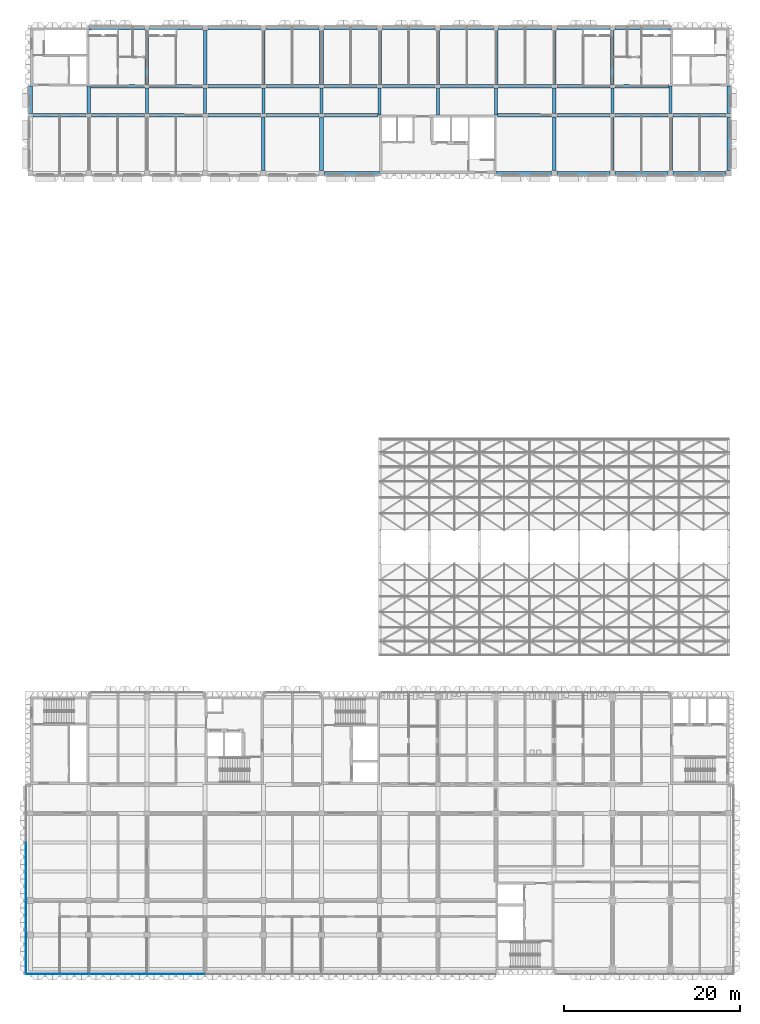
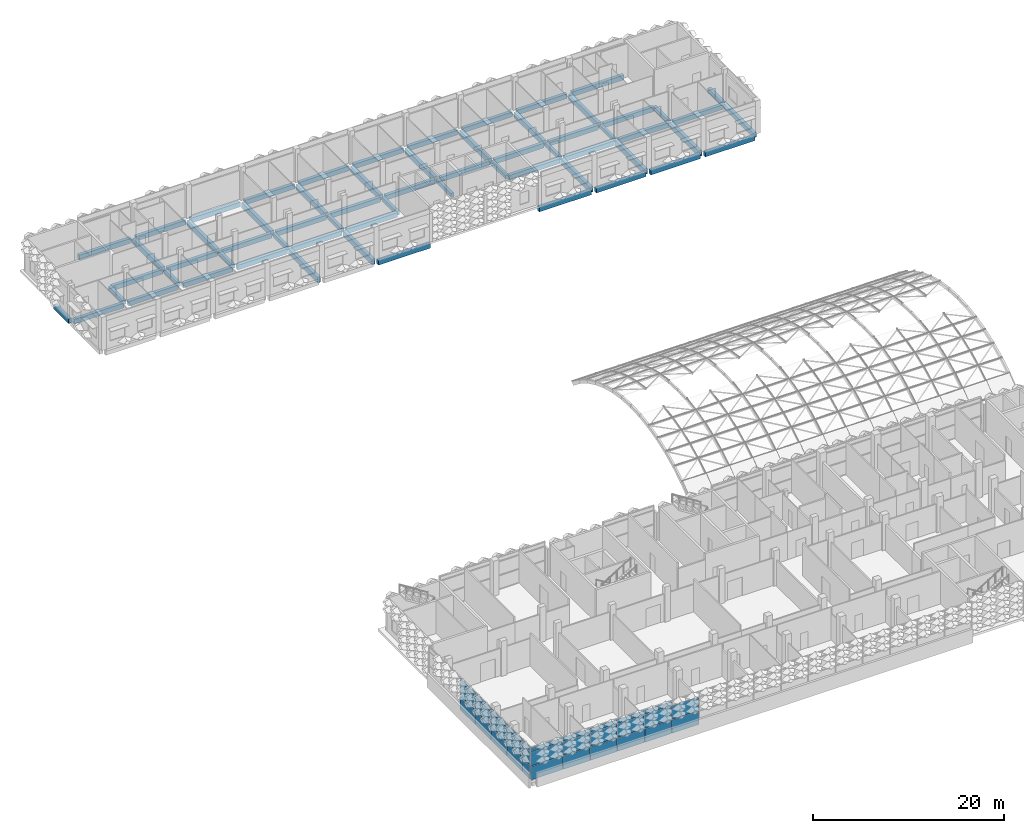
# One storey, part 18 of 85: 63 beams, 32 plates, 2 elements without a shape of their own.
"""IFC4 building model written with IfcOpenShell, lengths in metres."""

from ifc_helpers import new_model, si_unit, direction, frame, origin, origin_2d, place, context, subcontext, project, spatial, rectangle, extrude, material, layer, layer_set, material_profile, profile_set, type_object, element, aggregate, save


model = new_model("IFC4")

# Units and contexts
model_context = context("Model", 3, precision=1e-05, world=origin(), true_north=direction((0.0, 1.0)))
body_context = subcontext(model_context, "Body", "Model", "MODEL_VIEW")
ifc_project = project(units=[si_unit("LENGTHUNIT", "METRE"), si_unit("AREAUNIT", "SQUARE_METRE"), si_unit("VOLUMEUNIT", "CUBIC_METRE"), si_unit("PLANEANGLEUNIT", "RADIAN"), si_unit("MASSUNIT", "GRAM", prefix="KILO")], contexts=[model_context])

# Site, building, storey
site_placement = place(None, origin())
site = spatial("IfcSite", under=ifc_project, at=site_placement, CompositionType="ELEMENT")
building_placement = place(site_placement, origin())
building = spatial("IfcBuilding", under=site, at=building_placement, Name="Lantern Court Research Institute", CompositionType="ELEMENT")
storey_placement = place(building_placement, frame((0.0, 0.0, 18.89990234375)))
storey = spatial("IfcBuildingStorey", under=building, at=storey_placement, Name="L04", CompositionType="ELEMENT", Elevation=18.89990234375)

# Beams
ifc_material_1 = material(Name="Concrete C40/50", Category="concrete")
ifc_material_profile_1 = material_profile(ifc_material_1, rectangle(XDim=0.39990234375, YDim=0.60009765625, at=origin_2d()), Name="RC beam 400 x 600")
ifc_profile_set_1 = profile_set([ifc_material_profile_1], Name="Concrete C40/50")
beam_type_1 = type_object("IfcBeamType", Name="RC beam 400 x 600", PredefinedType="BEAM", material=ifc_profile_set_1)
for number, where, z_axis, x_axis, name in (
    (1, (0.300048828125, 89.10009765625, -0.5498046875), (1.0, 0.0, 0.0), (0.0, 1.0, 0.0), "Beam L04 grid K/1-2"),
    (2, (6.89990234375, 89.10009765625, -0.5498046875), (1.0, 0.0, 0.0), (0.0, 1.0, 0.0), "Beam L04 grid K/2-3"),
    (3, (13.5, 89.10009765625, -0.5498046875), (1.0, 0.0, 0.0), (0.0, 1.0, 0.0), "Beam L04 grid K/3-4"),
    (4, (20.10009765625, 89.10009765625, -0.5498046875), (1.0, 0.0, 0.0), (0.0, 1.0, 0.0), "Beam L04 grid K/4-5"),
    (5, (26.699951171875, 89.10009765625, -0.5498046875), (1.0, 0.0, 0.0), (0.0, 1.0, 0.0), "Beam L04 grid K/5-6"),
):
    element("IfcBeam", number, at=place(storey_placement, frame(where, z_axis=z_axis, x_axis=x_axis)), inside=storey, type_object=beam_type_1, Name=name, PredefinedType="BEAM", context=body_context, shape_type="SweptSolid", body=[
        extrude(rectangle(XDim=0.39990234375, YDim=0.60009765625, at=origin_2d()), origin(), (0.0, 0.0, 1.0), 6.0),
    ])
for number, where, z_axis, x_axis, name in (
    (6, (33.300048828125, 89.10009765625, -0.5498046875), (1.0, 0.0, 0.0), (0.0, 1.0, 0.0), "Beam L04 grid K/6-7"),
    (7, (52.97509765625, 89.10009765625, -0.5498046875), (1.0, 0.0, 0.0), (0.0, 1.0, 0.0), "Beam L04 grid K/9-10"),
):
    element("IfcBeam", number, at=place(storey_placement, frame(where, z_axis=z_axis, x_axis=x_axis)), inside=storey, type_object=beam_type_1, Name=name, PredefinedType="BEAM", context=body_context, shape_type="SweptSolid", body=[
        extrude(rectangle(XDim=0.39990234375, YDim=0.60009765625, at=origin_2d()), origin(), (0.0, 0.0, 1.0), 6.125),
    ])
for number, where, z_axis, x_axis, name in (
    (8, (59.699951171875, 89.10009765625, -0.5498046875), (1.0, 0.0, 0.0), (0.0, 1.0, 0.0), "Beam L04 grid K/10-11"),
    (9, (66.300048828125, 89.10009765625, -0.5498046875), (1.0, 0.0, 0.0), (0.0, 1.0, 0.0), "Beam L04 grid K/11-12"),
    (10, (72.89990234375, 89.10009765625, -0.5498046875), (1.0, 0.0, 0.0), (0.0, 1.0, 0.0), "Beam L04 grid K/12-13"),
):
    element("IfcBeam", number, at=place(storey_placement, frame(where, z_axis=z_axis, x_axis=x_axis)), inside=storey, type_object=beam_type_1, Name=name, PredefinedType="BEAM", context=body_context, shape_type="SweptSolid", body=[
        extrude(rectangle(XDim=0.39990234375, YDim=0.60009765625, at=origin_2d()), origin(), (0.0, 0.0, 1.0), 6.0),
    ])
beam_1_placement = place(storey_placement, frame((6.77490234375, 92.39990234375, -0.5498046875), z_axis=(1.0, 0.0, 0.0), x_axis=(0.0, 1.0, 0.0)))
element("IfcBeam", 11, at=beam_1_placement, inside=storey, type_object=beam_type_1, Name="Beam L04 grid L/2-3", PredefinedType="BEAM", context=body_context, shape_type="SweptSolid", body=[
    extrude(rectangle(XDim=0.39990234375, YDim=0.60009765625, at=origin_2d()), origin(), (0.0, 0.0, 1.0), 6.125),
])
for number, where, z_axis, x_axis, name in (
    (12, (13.5, 92.39990234375, -0.5498046875), (1.0, 0.0, 0.0), (0.0, 1.0, 0.0), "Beam L04 grid L/3-4"),
    (13, (20.10009765625, 92.39990234375, -0.5498046875), (1.0, 0.0, 0.0), (0.0, 1.0, 0.0), "Beam L04 grid L/4-5"),
    (14, (26.699951171875, 92.39990234375, -0.5498046875), (1.0, 0.0, 0.0), (0.0, 1.0, 0.0), "Beam L04 grid L/5-6"),
    (15, (33.300048828125, 92.39990234375, -0.5498046875), (1.0, 0.0, 0.0), (0.0, 1.0, 0.0), "Beam L04 grid L/6-7"),
    (16, (39.89990234375, 92.39990234375, -0.5498046875), (1.0, 0.0, 0.0), (0.0, 1.0, 0.0), "Beam L04 grid L/7-8"),
    (17, (46.5, 92.39990234375, -0.5498046875), (1.0, 0.0, 0.0), (0.0, 1.0, 0.0), "Beam L04 grid L/8-9"),
    (18, (53.10009765625, 92.39990234375, -0.5498046875), (1.0, 0.0, 0.0), (0.0, 1.0, 0.0), "Beam L04 grid L/9-10"),
    (19, (59.699951171875, 92.39990234375, -0.5498046875), (1.0, 0.0, 0.0), (0.0, 1.0, 0.0), "Beam L04 grid L/10-11"),
):
    element("IfcBeam", number, at=place(storey_placement, frame(where, z_axis=z_axis, x_axis=x_axis)), inside=storey, type_object=beam_type_1, Name=name, PredefinedType="BEAM", context=body_context, shape_type="SweptSolid", body=[
        extrude(rectangle(XDim=0.39990234375, YDim=0.60009765625, at=origin_2d()), origin(), (0.0, 0.0, 1.0), 6.0),
    ])
beam_2_placement = place(storey_placement, frame((66.300048828125, 92.39990234375, -0.5498046875), z_axis=(1.0, 0.0, 0.0), x_axis=(0.0, 1.0, 0.0)))
element("IfcBeam", 20, at=beam_2_placement, inside=storey, type_object=beam_type_1, Name="Beam L04 grid L/11-12", PredefinedType="BEAM", context=body_context, shape_type="SweptSolid", body=[
    extrude(rectangle(XDim=0.39990234375, YDim=0.60009765625, at=origin_2d()), origin(), (0.0, 0.0, 1.0), 6.125),
])
ifc_material_2 = material(Name="Concrete C40/50", Category="concrete")
ifc_material_profile_2 = material_profile(ifc_material_2, rectangle(XDim=0.39990234375, YDim=0.699951171875, at=origin_2d()), Name="RC beam 400 x 700")
ifc_profile_set_2 = profile_set([ifc_material_profile_2], Name="Concrete C40/50")
beam_type_2 = type_object("IfcBeamType", Name="RC beam 400 x 700", PredefinedType="BEAM", material=ifc_profile_set_2)
for number, where, z_axis, x_axis, name in (
    (21, (13.199951171875, 92.60009765625, -0.599853515625), (0.0, 1.0, 0.0), (-1.0, 0.0, 0.0), "Beam L04 grid 3/L-M"),
    (22, (19.800048828125, 92.60009765625, -0.599853515625), (0.0, 1.0, 0.0), (-1.0, 0.0, 0.0), "Beam L04 grid 4/L-M"),
    (23, (26.39990234375, 82.800048828125, -0.599853515625), (0.0, 1.0, 0.0), (-1.0, 0.0, 0.0), "Beam L04 grid 5/J-K"),
    (24, (26.39990234375, 92.60009765625, -0.599853515625), (0.0, 1.0, 0.0), (-1.0, 0.0, 0.0), "Beam L04 grid 5/L-M"),
    (25, (33.0, 82.800048828125, -0.599853515625), (0.0, 1.0, 0.0), (-1.0, 0.0, 0.0), "Beam L04 grid 6/J-K"),
    (26, (33.0, 92.60009765625, -0.599853515625), (0.0, 1.0, 0.0), (-1.0, 0.0, 0.0), "Beam L04 grid 6/L-M"),
    (27, (39.60009765625, 92.60009765625, -0.599853515625), (0.0, 1.0, 0.0), (-1.0, 0.0, 0.0), "Beam L04 grid 7/L-M"),
    (28, (46.199951171875, 92.60009765625, -0.599853515625), (0.0, 1.0, 0.0), (-1.0, 0.0, 0.0), "Beam L04 grid 8/L-M"),
    (29, (52.800048828125, 92.60009765625, -0.599853515625), (0.0, 1.0, 0.0), (-1.0, 0.0, 0.0), "Beam L04 grid 9/L-M"),
    (30, (59.39990234375, 82.800048828125, -0.599853515625), (0.0, 1.0, 0.0), (-1.0, 0.0, 0.0), "Beam L04 grid 10/J-K"),
    (31, (59.39990234375, 92.60009765625, -0.599853515625), (0.0, 1.0, 0.0), (-1.0, 0.0, 0.0), "Beam L04 grid 10/L-M"),
    (32, (66.0, 82.800048828125, -0.599853515625), (0.0, 1.0, 0.0), (-1.0, 0.0, 0.0), "Beam L04 grid 11/J-K"),
    (33, (66.0, 92.60009765625, -0.599853515625), (0.0, 1.0, 0.0), (-1.0, 0.0, 0.0), "Beam L04 grid 11/L-M"),
    (34, (72.60009765625, 82.800048828125, -0.599853515625), (0.0, 1.0, 0.0), (-1.0, 0.0, 0.0), "Beam L04 grid 12/J-K"),
):
    element("IfcBeam", number, at=place(storey_placement, frame(where, z_axis=z_axis, x_axis=x_axis)), inside=storey, type_object=beam_type_2, Name=name, PredefinedType="BEAM", context=body_context, shape_type="SweptSolid", body=[
        extrude(rectangle(XDim=0.39990234375, YDim=0.699951171875, at=origin_2d()), origin(), (0.0, 0.0, 1.0), 6.099853515625),
    ])
ifc_material_3 = material(Name="Concrete C40/50", Category="concrete")
ifc_material_profile_3 = material_profile(ifc_material_3, rectangle(XDim=0.39990234375, YDim=0.60009765625, at=origin_2d()), Name="RC beam 400 x 600")
ifc_profile_set_3 = profile_set([ifc_material_profile_3], Name="Concrete C40/50")
beam_type_3 = type_object("IfcBeamType", Name="RC edge beam 400 x 600", PredefinedType="BEAM", material=ifc_profile_set_3)
beam_3_placement = place(storey_placement, frame((0.0, 89.300048828125, -0.5498046875), z_axis=(0.0, 1.0, 0.0), x_axis=(-1.0, 0.0, 0.0)))
element("IfcBeam", 35, at=beam_3_placement, inside=storey, type_object=beam_type_3, Name="Edge beam L04 grid 1/K-L", PredefinedType="BEAM", context=body_context, shape_type="SweptSolid", body=[
    extrude(rectangle(XDim=0.39990234375, YDim=0.60009765625, at=origin_2d()), origin(), (0.0, 0.0, 1.0), 3.099853515625),
])
beam_4_placement = place(storey_placement, frame((79.199951171875, 82.800048828125, -0.5498046875), z_axis=(0.0, 1.0, 0.0), x_axis=(-1.0, 0.0, 0.0)))
element("IfcBeam", 36, at=beam_4_placement, inside=storey, type_object=beam_type_3, Name="Edge beam L04 grid 13/J-K", PredefinedType="BEAM", context=body_context, shape_type="SweptSolid", body=[
    extrude(rectangle(XDim=0.39990234375, YDim=0.60009765625, at=origin_2d()), origin(), (0.0, 0.0, 1.0), 6.099853515625),
])
beam_5_placement = place(storey_placement, frame((79.199951171875, 89.300048828125, -0.5498046875), z_axis=(0.0, 1.0, 0.0), x_axis=(-1.0, 0.0, 0.0)))
element("IfcBeam", 37, at=beam_5_placement, inside=storey, type_object=beam_type_3, Name="Edge beam L04 grid 13/K-L", PredefinedType="BEAM", context=body_context, shape_type="SweptSolid", body=[
    extrude(rectangle(XDim=0.39990234375, YDim=0.60009765625, at=origin_2d()), origin(), (0.0, 0.0, 1.0), 3.099853515625),
])
for number, where, z_axis, x_axis, name in (
    (38, (33.300048828125, 82.5, -0.5498046875), (1.0, 0.0, 0.0), (0.0, 1.0, 0.0), "Edge beam L04 grid J/6-7"),
    (39, (52.800048828125, 82.5, -0.5498046875), (1.0, 0.0, 0.0), (0.0, 1.0, 0.0), "Edge beam L04 grid J/9-10"),
):
    element("IfcBeam", number, at=place(storey_placement, frame(where, z_axis=z_axis, x_axis=x_axis)), inside=storey, type_object=beam_type_3, Name=name, PredefinedType="BEAM", context=body_context, shape_type="SweptSolid", body=[
        extrude(rectangle(XDim=0.39990234375, YDim=0.60009765625, at=origin_2d()), origin(), (0.0, 0.0, 1.0), 6.300048828125),
    ])
for number, where, z_axis, x_axis, name in (
    (40, (59.699951171875, 82.5, -0.5498046875), (1.0, 0.0, 0.0), (0.0, 1.0, 0.0), "Edge beam L04 grid J/10-11"),
    (41, (66.300048828125, 82.5, -0.5498046875), (1.0, 0.0, 0.0), (0.0, 1.0, 0.0), "Edge beam L04 grid J/11-12"),
    (42, (72.89990234375, 82.5, -0.5498046875), (1.0, 0.0, 0.0), (0.0, 1.0, 0.0), "Edge beam L04 grid J/12-13"),
):
    element("IfcBeam", number, at=place(storey_placement, frame(where, z_axis=z_axis, x_axis=x_axis)), inside=storey, type_object=beam_type_3, Name=name, PredefinedType="BEAM", context=body_context, shape_type="SweptSolid", body=[
        extrude(rectangle(XDim=0.39990234375, YDim=0.60009765625, at=origin_2d()), origin(), (0.0, 0.0, 1.0), 6.0),
    ])
beam_6_placement = place(storey_placement, frame((6.60009765625, 99.0, -0.5498046875), z_axis=(1.0, 0.0, 0.0), x_axis=(0.0, 1.0, 0.0)))
element("IfcBeam", 43, at=beam_6_placement, inside=storey, type_object=beam_type_3, Name="Edge beam L04 grid M/2-3", PredefinedType="BEAM", context=body_context, shape_type="SweptSolid", body=[
    extrude(rectangle(XDim=0.39990234375, YDim=0.60009765625, at=origin_2d()), origin(), (0.0, 0.0, 1.0), 6.2998046875),
])
for number, where, z_axis, x_axis, name in (
    (44, (13.5, 99.0, -0.5498046875), (1.0, 0.0, 0.0), (0.0, 1.0, 0.0), "Edge beam L04 grid M/3-4"),
    (45, (20.10009765625, 99.0, -0.5498046875), (1.0, 0.0, 0.0), (0.0, 1.0, 0.0), "Edge beam L04 grid M/4-5"),
    (46, (26.699951171875, 99.0, -0.5498046875), (1.0, 0.0, 0.0), (0.0, 1.0, 0.0), "Edge beam L04 grid M/5-6"),
    (47, (33.300048828125, 99.0, -0.5498046875), (1.0, 0.0, 0.0), (0.0, 1.0, 0.0), "Edge beam L04 grid M/6-7"),
    (48, (39.89990234375, 99.0, -0.5498046875), (1.0, 0.0, 0.0), (0.0, 1.0, 0.0), "Edge beam L04 grid M/7-8"),
    (49, (46.5, 99.0, -0.5498046875), (1.0, 0.0, 0.0), (0.0, 1.0, 0.0), "Edge beam L04 grid M/8-9"),
    (50, (53.10009765625, 99.0, -0.5498046875), (1.0, 0.0, 0.0), (0.0, 1.0, 0.0), "Edge beam L04 grid M/9-10"),
    (51, (59.699951171875, 99.0, -0.5498046875), (1.0, 0.0, 0.0), (0.0, 1.0, 0.0), "Edge beam L04 grid M/10-11"),
):
    element("IfcBeam", number, at=place(storey_placement, frame(where, z_axis=z_axis, x_axis=x_axis)), inside=storey, type_object=beam_type_3, Name=name, PredefinedType="BEAM", context=body_context, shape_type="SweptSolid", body=[
        extrude(rectangle(XDim=0.39990234375, YDim=0.60009765625, at=origin_2d()), origin(), (0.0, 0.0, 1.0), 6.0),
    ])
beam_7_placement = place(storey_placement, frame((66.300048828125, 99.0, -0.5498046875), z_axis=(1.0, 0.0, 0.0), x_axis=(0.0, 1.0, 0.0)))
element("IfcBeam", 52, at=beam_7_placement, inside=storey, type_object=beam_type_3, Name="Edge beam L04 grid M/11-12", PredefinedType="BEAM", context=body_context, shape_type="SweptSolid", body=[
    extrude(rectangle(XDim=0.39990234375, YDim=0.60009765625, at=origin_2d()), origin(), (0.0, 0.0, 1.0), 6.300048828125),
])
ifc_material_4 = material(Name="Concrete C40/50", Category="concrete")
ifc_material_profile_4 = material_profile(ifc_material_4, rectangle(XDim=0.35009765625, YDim=0.5, at=origin_2d()), Name="RC beam 350 x 500")
ifc_profile_set_4 = profile_set([ifc_material_profile_4], Name="Concrete C40/50")
beam_type_4 = type_object("IfcBeamType", Name="RC spine beam 350 x 500", PredefinedType="BEAM", material=ifc_profile_set_4)
beam_8_placement = place(storey_placement, frame((6.60009765625, 89.300048828125, -0.5), z_axis=(0.0, 1.0, 0.0), x_axis=(-1.0, 0.0, 0.0)))
element("IfcBeam", 53, at=beam_8_placement, inside=storey, type_object=beam_type_4, Name="Beam L04 grid 2/K-L", PredefinedType="BEAM", context=body_context, shape_type="SweptSolid", body=[
    extrude(rectangle(XDim=0.35009765625, YDim=0.5, at=origin_2d()), origin(), (0.0, 0.0, 1.0), 3.099853515625),
])
for number, where, z_axis, x_axis, name in (
    (54, (13.199951171875, 89.300048828125, -0.5), (0.0, 1.0, 0.0), (-1.0, 0.0, 0.0), "Beam L04 grid 3/K-L"),
    (55, (19.800048828125, 89.300048828125, -0.5), (0.0, 1.0, 0.0), (-1.0, 0.0, 0.0), "Beam L04 grid 4/K-L"),
    (56, (26.39990234375, 89.300048828125, -0.5), (0.0, 1.0, 0.0), (-1.0, 0.0, 0.0), "Beam L04 grid 5/K-L"),
    (57, (33.0, 89.300048828125, -0.5), (0.0, 1.0, 0.0), (-1.0, 0.0, 0.0), "Beam L04 grid 6/K-L"),
):
    element("IfcBeam", number, at=place(storey_placement, frame(where, z_axis=z_axis, x_axis=x_axis)), inside=storey, type_object=beam_type_4, Name=name, PredefinedType="BEAM", context=body_context, shape_type="SweptSolid", body=[
        extrude(rectangle(XDim=0.35009765625, YDim=0.5, at=origin_2d()), origin(), (0.0, 0.0, 1.0), 2.89990234375),
    ])
for number, where, z_axis, x_axis, name in (
    (58, (39.60009765625, 89.10009765625, -0.5), (0.0, 1.0, 0.0), (-1.0, 0.0, 0.0), "Beam L04 grid 7/K-L"),
    (59, (46.199951171875, 89.10009765625, -0.5), (0.0, 1.0, 0.0), (-1.0, 0.0, 0.0), "Beam L04 grid 8/K-L"),
    (60, (52.800048828125, 89.10009765625, -0.5), (0.0, 1.0, 0.0), (-1.0, 0.0, 0.0), "Beam L04 grid 9/K-L"),
):
    element("IfcBeam", number, at=place(storey_placement, frame(where, z_axis=z_axis, x_axis=x_axis)), inside=storey, type_object=beam_type_4, Name=name, PredefinedType="BEAM", context=body_context, shape_type="SweptSolid", body=[
        extrude(rectangle(XDim=0.35009765625, YDim=0.5, at=origin_2d()), origin(), (0.0, 0.0, 1.0), 3.099853515625),
    ])
for number, where, z_axis, x_axis, name in (
    (61, (59.39990234375, 89.300048828125, -0.5), (0.0, 1.0, 0.0), (-1.0, 0.0, 0.0), "Beam L04 grid 10/K-L"),
    (62, (66.0, 89.300048828125, -0.5), (0.0, 1.0, 0.0), (-1.0, 0.0, 0.0), "Beam L04 grid 11/K-L"),
):
    element("IfcBeam", number, at=place(storey_placement, frame(where, z_axis=z_axis, x_axis=x_axis)), inside=storey, type_object=beam_type_4, Name=name, PredefinedType="BEAM", context=body_context, shape_type="SweptSolid", body=[
        extrude(rectangle(XDim=0.35009765625, YDim=0.5, at=origin_2d()), origin(), (0.0, 0.0, 1.0), 2.89990234375),
    ])
beam_9_placement = place(storey_placement, frame((72.60009765625, 89.300048828125, -0.5), z_axis=(0.0, 1.0, 0.0), x_axis=(-1.0, 0.0, 0.0)))
element("IfcBeam", 63, at=beam_9_placement, inside=storey, type_object=beam_type_4, Name="Beam L04 grid 12/K-L", PredefinedType="BEAM", context=body_context, shape_type="SweptSolid", body=[
    extrude(rectangle(XDim=0.35009765625, YDim=0.5, at=origin_2d()), origin(), (0.0, 0.0, 1.0), 3.099853515625),
])

# Curtain wall, plates
ifc_material_5 = material(Name="Aluminium alloy 6063-T6", Category="aluminium")
curtain_wall_type_1 = type_object("IfcCurtainWallType", Name="Curtain wall 53400 x 4200 x 150 aluminium frame", PredefinedType="NOTDEFINED", material=ifc_material_5)
curtain_wall_1_placement = place(storey_placement, origin())
curtain_wall_1 = element("IfcCurtainWall", 64, at=curtain_wall_1_placement, inside=storey, type_object=curtain_wall_type_1, Name="Curtain wall CW063", PredefinedType="NOTDEFINED")
ifc_material_6 = material(Name="Insulated aluminium spandrel panel", Category="aluminium")
ifc_layer_1 = layer(ifc_material_6, 0.10009765625)
ifc_layer_set_1 = layer_set([ifc_layer_1], Name="Insulated aluminium spandrel panel")
plate_type_1 = type_object("IfcPlateType", Name="Insulated spandrel panel 100 mm for south sun", PredefinedType="CURTAIN_PANEL", material=ifc_layer_set_1)
plate_1_placement = place(storey_placement, frame((1.364990234375, -8.324951171875, 0.06005859375), z_axis=(0.0, 0.0, 1.0), x_axis=(-1.0, 0.0, 0.0)))
plate_1 = element("IfcPlate", 65, at=plate_1_placement, type_object=plate_type_1, Name="CW063 spandrel panel 1.1", PredefinedType="CURTAIN_PANEL", context=body_context, shape_type="SweptSolid", body=[
    extrude(rectangle(XDim=3.81005859375, YDim=0.10009765625, at=origin_2d()), origin(), (0.0, 0.0, 1.0), 1.7099609375),
])
plate_2_placement = place(storey_placement, frame((4.949951171875, -8.324951171875, 0.06005859375), z_axis=(0.0, 0.0, 1.0), x_axis=(-1.0, 0.0, 0.0)))
plate_2 = element("IfcPlate", 66, at=plate_2_placement, type_object=plate_type_1, Name="CW063 spandrel panel 2.1", PredefinedType="CURTAIN_PANEL", context=body_context, shape_type="SweptSolid", body=[
    extrude(rectangle(XDim=3.239990234375, YDim=0.10009765625, at=origin_2d()), origin(), (0.0, 0.0, 1.0), 1.7099609375),
])
plate_3_placement = place(storey_placement, frame((8.25, -8.324951171875, 0.06005859375), z_axis=(0.0, 0.0, 1.0), x_axis=(-1.0, 0.0, 0.0)))
plate_3 = element("IfcPlate", 67, at=plate_3_placement, type_object=plate_type_1, Name="CW063 spandrel panel 3.1", PredefinedType="CURTAIN_PANEL", context=body_context, shape_type="SweptSolid", body=[
    extrude(rectangle(XDim=3.239990234375, YDim=0.10009765625, at=origin_2d()), origin(), (0.0, 0.0, 1.0), 1.7099609375),
])
plate_4_placement = place(storey_placement, frame((11.550048828125, -8.324951171875, 0.06005859375), z_axis=(0.0, 0.0, 1.0), x_axis=(-1.0, 0.0, 0.0)))
plate_4 = element("IfcPlate", 68, at=plate_4_placement, type_object=plate_type_1, Name="CW063 spandrel panel 4.1", PredefinedType="CURTAIN_PANEL", context=body_context, shape_type="SweptSolid", body=[
    extrude(rectangle(XDim=3.239990234375, YDim=0.10009765625, at=origin_2d()), origin(), (0.0, 0.0, 1.0), 1.7099609375),
])
plate_5_placement = place(storey_placement, frame((14.85009765625, -8.324951171875, 0.06005859375), z_axis=(0.0, 0.0, 1.0), x_axis=(-1.0, 0.0, 0.0)))
plate_5 = element("IfcPlate", 69, at=plate_5_placement, type_object=plate_type_1, Name="CW063 spandrel panel 5.1", PredefinedType="CURTAIN_PANEL", context=body_context, shape_type="SweptSolid", body=[
    extrude(rectangle(XDim=3.239990234375, YDim=0.10009765625, at=origin_2d()), origin(), (0.0, 0.0, 1.0), 1.7099609375),
])
plate_6_placement = place(storey_placement, frame((18.14990234375, -8.324951171875, 0.06005859375), z_axis=(0.0, 0.0, 1.0), x_axis=(-1.0, 0.0, 0.0)))
plate_6 = element("IfcPlate", 70, at=plate_6_placement, type_object=plate_type_1, Name="CW063 spandrel panel 6.1", PredefinedType="CURTAIN_PANEL", context=body_context, shape_type="SweptSolid", body=[
    extrude(rectangle(XDim=3.239990234375, YDim=0.10009765625, at=origin_2d()), origin(), (0.0, 0.0, 1.0), 1.7099609375),
])

ifc_material_7 = material(Name="Aluminium alloy 6063-T6", Category="aluminium")
curtain_wall_type_2 = type_object("IfcCurtainWallType", Name="Curtain wall 21250 x 4200 x 150 aluminium frame", PredefinedType="NOTDEFINED", material=ifc_material_7)
curtain_wall_2_placement = place(storey_placement, origin())
curtain_wall_2 = element("IfcCurtainWall", 71, at=curtain_wall_2_placement, inside=storey, type_object=curtain_wall_type_2, Name="Curtain wall CW064", PredefinedType="NOTDEFINED")
ifc_material_8 = material(Name="Insulated aluminium spandrel panel", Category="aluminium")
ifc_layer_2 = layer(ifc_material_8, 0.080078125)
ifc_layer_set_2 = layer_set([ifc_layer_2], Name="Insulated aluminium spandrel panel")
plate_type_2 = type_object("IfcPlateType", Name="Insulated spandrel panel 80 mm", PredefinedType="CURTAIN_PANEL", material=ifc_layer_set_2)
plate_7_placement = place(storey_placement, frame((-0.52490234375, -7.409912109375, 0.06005859375), z_axis=(0.0, 0.0, 1.0), x_axis=(0.0, 1.0, 0.0)))
plate_7 = element("IfcPlate", 72, at=plate_7_placement, type_object=plate_type_2, Name="CW064 spandrel panel 1.1", PredefinedType="CURTAIN_PANEL", context=body_context, shape_type="SweptSolid", body=[
    extrude(rectangle(XDim=1.56005859375, YDim=0.080078125, at=origin_2d()), origin(), (0.0, 0.0, 1.0), 1.7099609375),
])
plate_8_placement = place(storey_placement, frame((-0.52490234375, -4.949951171875, 0.06005859375), z_axis=(0.0, 0.0, 1.0), x_axis=(0.0, 1.0, 0.0)))
plate_8 = element("IfcPlate", 73, at=plate_8_placement, type_object=plate_type_2, Name="CW064 spandrel panel 2.1", PredefinedType="CURTAIN_PANEL", context=body_context, shape_type="SweptSolid", body=[
    extrude(rectangle(XDim=3.239990234375, YDim=0.080078125, at=origin_2d()), origin(), (0.0, 0.0, 1.0), 1.7099609375),
])
plate_9_placement = place(storey_placement, frame((-0.52490234375, -1.64990234375, 0.06005859375), z_axis=(0.0, 0.0, 1.0), x_axis=(0.0, 1.0, 0.0)))
plate_9 = element("IfcPlate", 74, at=plate_9_placement, type_object=plate_type_2, Name="CW064 spandrel panel 3.1", PredefinedType="CURTAIN_PANEL", context=body_context, shape_type="SweptSolid", body=[
    extrude(rectangle(XDim=3.239990234375, YDim=0.080078125, at=origin_2d()), origin(), (0.0, 0.0, 1.0), 1.7099609375),
])
plate_10_placement = place(storey_placement, frame((-0.52490234375, 1.64990234375, 0.06005859375), z_axis=(0.0, 0.0, 1.0), x_axis=(0.0, 1.0, 0.0)))
plate_10 = element("IfcPlate", 75, at=plate_10_placement, type_object=plate_type_2, Name="CW064 spandrel panel 4.1", PredefinedType="CURTAIN_PANEL", context=body_context, shape_type="SweptSolid", body=[
    extrude(rectangle(XDim=3.239990234375, YDim=0.080078125, at=origin_2d()), origin(), (0.0, 0.0, 1.0), 1.7099609375),
])
plate_11_placement = place(storey_placement, frame((-0.52490234375, 4.949951171875, 0.06005859375), z_axis=(0.0, 0.0, 1.0), x_axis=(0.0, 1.0, 0.0)))
plate_11 = element("IfcPlate", 76, at=plate_11_placement, type_object=plate_type_2, Name="CW064 spandrel panel 5.1", PredefinedType="CURTAIN_PANEL", context=body_context, shape_type="SweptSolid", body=[
    extrude(rectangle(XDim=3.239990234375, YDim=0.080078125, at=origin_2d()), origin(), (0.0, 0.0, 1.0), 1.7099609375),
])
ifc_material_9 = material(Name="Laminated low-emissivity glass", Category="glass")
ifc_layer_3 = layer(ifc_material_9, 0.031982421875)
ifc_layer_set_3 = layer_set([ifc_layer_3], Name="Laminated low-emissivity glass")
plate_type_3 = type_object("IfcPlateType", Name="Laminated low-emissivity unit 32 mm", PredefinedType="CURTAIN_PANEL", material=ifc_layer_set_3)
plate_12_placement = place(storey_placement, frame((-0.52490234375, -7.409912109375, 1.830078125), z_axis=(0.0, 0.0, 1.0), x_axis=(0.0, 1.0, 0.0)))
plate_12 = element("IfcPlate", 77, at=plate_12_placement, type_object=plate_type_3, Name="CW064 glazed panel 1.2", PredefinedType="CURTAIN_PANEL", context=body_context, shape_type="SweptSolid", body=[
    extrude(rectangle(XDim=1.56005859375, YDim=0.031982421875, at=origin_2d()), origin(), (0.0, 0.0, 1.0), 1.739990234375),
])
plate_13_placement = place(storey_placement, frame((-0.52490234375, -7.409912109375, 3.6298828125), z_axis=(0.0, 0.0, 1.0), x_axis=(0.0, 1.0, 0.0)))
plate_13 = element("IfcPlate", 78, at=plate_13_placement, type_object=plate_type_3, Name="CW064 glazed panel 1.3", PredefinedType="CURTAIN_PANEL", context=body_context, shape_type="SweptSolid", body=[
    extrude(rectangle(XDim=1.56005859375, YDim=0.031982421875, at=origin_2d()), origin(), (0.0, 0.0, 1.0), 0.510009765625),
])
plate_14_placement = place(storey_placement, frame((-0.52490234375, -4.949951171875, 1.830078125), z_axis=(0.0, 0.0, 1.0), x_axis=(0.0, 1.0, 0.0)))
plate_14 = element("IfcPlate", 79, at=plate_14_placement, type_object=plate_type_3, Name="CW064 glazed panel 2.2", PredefinedType="CURTAIN_PANEL", context=body_context, shape_type="SweptSolid", body=[
    extrude(rectangle(XDim=3.239990234375, YDim=0.031982421875, at=origin_2d()), origin(), (0.0, 0.0, 1.0), 1.739990234375),
])
plate_15_placement = place(storey_placement, frame((-0.52490234375, -4.949951171875, 3.6298828125), z_axis=(0.0, 0.0, 1.0), x_axis=(0.0, 1.0, 0.0)))
plate_15 = element("IfcPlate", 80, at=plate_15_placement, type_object=plate_type_3, Name="CW064 glazed panel 2.3", PredefinedType="CURTAIN_PANEL", context=body_context, shape_type="SweptSolid", body=[
    extrude(rectangle(XDim=3.239990234375, YDim=0.031982421875, at=origin_2d()), origin(), (0.0, 0.0, 1.0), 0.510009765625),
])
plate_16_placement = place(storey_placement, frame((-0.52490234375, -1.64990234375, 1.830078125), z_axis=(0.0, 0.0, 1.0), x_axis=(0.0, 1.0, 0.0)))
plate_16 = element("IfcPlate", 81, at=plate_16_placement, type_object=plate_type_3, Name="CW064 glazed panel 3.2", PredefinedType="CURTAIN_PANEL", context=body_context, shape_type="SweptSolid", body=[
    extrude(rectangle(XDim=3.239990234375, YDim=0.031982421875, at=origin_2d()), origin(), (0.0, 0.0, 1.0), 1.739990234375),
])
plate_17_placement = place(storey_placement, frame((-0.52490234375, -1.64990234375, 3.6298828125), z_axis=(0.0, 0.0, 1.0), x_axis=(0.0, 1.0, 0.0)))
plate_17 = element("IfcPlate", 82, at=plate_17_placement, type_object=plate_type_3, Name="CW064 glazed panel 3.3", PredefinedType="CURTAIN_PANEL", context=body_context, shape_type="SweptSolid", body=[
    extrude(rectangle(XDim=3.239990234375, YDim=0.031982421875, at=origin_2d()), origin(), (0.0, 0.0, 1.0), 0.510009765625),
])
plate_18_placement = place(storey_placement, frame((-0.52490234375, 1.64990234375, 1.830078125), z_axis=(0.0, 0.0, 1.0), x_axis=(0.0, 1.0, 0.0)))
plate_18 = element("IfcPlate", 83, at=plate_18_placement, type_object=plate_type_3, Name="CW064 glazed panel 4.2", PredefinedType="CURTAIN_PANEL", context=body_context, shape_type="SweptSolid", body=[
    extrude(rectangle(XDim=3.239990234375, YDim=0.031982421875, at=origin_2d()), origin(), (0.0, 0.0, 1.0), 1.739990234375),
])
plate_19_placement = place(storey_placement, frame((-0.52490234375, 1.64990234375, 3.6298828125), z_axis=(0.0, 0.0, 1.0), x_axis=(0.0, 1.0, 0.0)))
plate_19 = element("IfcPlate", 84, at=plate_19_placement, type_object=plate_type_3, Name="CW064 glazed panel 4.3", PredefinedType="CURTAIN_PANEL", context=body_context, shape_type="SweptSolid", body=[
    extrude(rectangle(XDim=3.239990234375, YDim=0.031982421875, at=origin_2d()), origin(), (0.0, 0.0, 1.0), 0.510009765625),
])
plate_20_placement = place(storey_placement, frame((-0.52490234375, 4.949951171875, 1.830078125), z_axis=(0.0, 0.0, 1.0), x_axis=(0.0, 1.0, 0.0)))
plate_20 = element("IfcPlate", 85, at=plate_20_placement, type_object=plate_type_3, Name="CW064 glazed panel 5.2", PredefinedType="CURTAIN_PANEL", context=body_context, shape_type="SweptSolid", body=[
    extrude(rectangle(XDim=3.239990234375, YDim=0.031982421875, at=origin_2d()), origin(), (0.0, 0.0, 1.0), 1.739990234375),
])
plate_21_placement = place(storey_placement, frame((-0.52490234375, 4.949951171875, 3.6298828125), z_axis=(0.0, 0.0, 1.0), x_axis=(0.0, 1.0, 0.0)))
plate_21 = element("IfcPlate", 86, at=plate_21_placement, type_object=plate_type_3, Name="CW064 glazed panel 5.3", PredefinedType="CURTAIN_PANEL", context=body_context, shape_type="SweptSolid", body=[
    extrude(rectangle(XDim=3.239990234375, YDim=0.031982421875, at=origin_2d()), origin(), (0.0, 0.0, 1.0), 0.510009765625),
])
aggregate(curtain_wall_2, [plate_7, plate_12, plate_13, plate_8, plate_14, plate_15, plate_9, plate_16, plate_17, plate_10, plate_18, plate_19, plate_11, plate_20, plate_21])

# Plate
ifc_material_10 = material(Name="Laminated low-emissivity glass", Category="glass")
ifc_layer_4 = layer(ifc_material_10, 0.035888671875)
ifc_layer_set_4 = layer_set([ifc_layer_4], Name="Laminated low-emissivity glass")
plate_type_4 = type_object("IfcPlateType", Name="Solar control laminated unit 36 mm", PredefinedType="CURTAIN_PANEL", material=ifc_layer_set_4)
plate_22_placement = place(storey_placement, frame((1.364990234375, -8.324951171875, 1.830078125), z_axis=(0.0, 0.0, 1.0), x_axis=(-1.0, 0.0, 0.0)))
plate_22 = element("IfcPlate", 87, at=plate_22_placement, type_object=plate_type_4, Name="CW063 glazed panel 1.2", PredefinedType="CURTAIN_PANEL", context=body_context, shape_type="SweptSolid", body=[
    extrude(rectangle(XDim=3.81005859375, YDim=0.035888671875, at=origin_2d()), origin(), (0.0, 0.0, 1.0), 1.739990234375),
])

plate_23_placement = place(storey_placement, frame((1.364990234375, -8.324951171875, 3.6298828125), z_axis=(0.0, 0.0, 1.0), x_axis=(-1.0, 0.0, 0.0)))
plate_23 = element("IfcPlate", 88, at=plate_23_placement, type_object=plate_type_4, Name="CW063 glazed panel 1.3", PredefinedType="CURTAIN_PANEL", context=body_context, shape_type="SweptSolid", body=[
    extrude(rectangle(XDim=3.81005859375, YDim=0.035888671875, at=origin_2d()), origin(), (0.0, 0.0, 1.0), 0.510009765625),
])

plate_24_placement = place(storey_placement, frame((4.949951171875, -8.324951171875, 1.830078125), z_axis=(0.0, 0.0, 1.0), x_axis=(-1.0, 0.0, 0.0)))
plate_24 = element("IfcPlate", 89, at=plate_24_placement, type_object=plate_type_4, Name="CW063 glazed panel 2.2", PredefinedType="CURTAIN_PANEL", context=body_context, shape_type="SweptSolid", body=[
    extrude(rectangle(XDim=3.239990234375, YDim=0.035888671875, at=origin_2d()), origin(), (0.0, 0.0, 1.0), 1.739990234375),
])

plate_25_placement = place(storey_placement, frame((4.949951171875, -8.324951171875, 3.6298828125), z_axis=(0.0, 0.0, 1.0), x_axis=(-1.0, 0.0, 0.0)))
plate_25 = element("IfcPlate", 90, at=plate_25_placement, type_object=plate_type_4, Name="CW063 glazed panel 2.3", PredefinedType="CURTAIN_PANEL", context=body_context, shape_type="SweptSolid", body=[
    extrude(rectangle(XDim=3.239990234375, YDim=0.035888671875, at=origin_2d()), origin(), (0.0, 0.0, 1.0), 0.510009765625),
])

plate_26_placement = place(storey_placement, frame((8.25, -8.324951171875, 1.830078125), z_axis=(0.0, 0.0, 1.0), x_axis=(-1.0, 0.0, 0.0)))
plate_26 = element("IfcPlate", 91, at=plate_26_placement, type_object=plate_type_4, Name="CW063 glazed panel 3.2", PredefinedType="CURTAIN_PANEL", context=body_context, shape_type="SweptSolid", body=[
    extrude(rectangle(XDim=3.239990234375, YDim=0.035888671875, at=origin_2d()), origin(), (0.0, 0.0, 1.0), 1.739990234375),
])

plate_27_placement = place(storey_placement, frame((8.25, -8.324951171875, 3.6298828125), z_axis=(0.0, 0.0, 1.0), x_axis=(-1.0, 0.0, 0.0)))
plate_27 = element("IfcPlate", 92, at=plate_27_placement, type_object=plate_type_4, Name="CW063 glazed panel 3.3", PredefinedType="CURTAIN_PANEL", context=body_context, shape_type="SweptSolid", body=[
    extrude(rectangle(XDim=3.239990234375, YDim=0.035888671875, at=origin_2d()), origin(), (0.0, 0.0, 1.0), 0.510009765625),
])

plate_28_placement = place(storey_placement, frame((11.550048828125, -8.324951171875, 1.830078125), z_axis=(0.0, 0.0, 1.0), x_axis=(-1.0, 0.0, 0.0)))
plate_28 = element("IfcPlate", 93, at=plate_28_placement, type_object=plate_type_4, Name="CW063 glazed panel 4.2", PredefinedType="CURTAIN_PANEL", context=body_context, shape_type="SweptSolid", body=[
    extrude(rectangle(XDim=3.239990234375, YDim=0.035888671875, at=origin_2d()), origin(), (0.0, 0.0, 1.0), 1.739990234375),
])

plate_29_placement = place(storey_placement, frame((11.550048828125, -8.324951171875, 3.6298828125), z_axis=(0.0, 0.0, 1.0), x_axis=(-1.0, 0.0, 0.0)))
plate_29 = element("IfcPlate", 94, at=plate_29_placement, type_object=plate_type_4, Name="CW063 glazed panel 4.3", PredefinedType="CURTAIN_PANEL", context=body_context, shape_type="SweptSolid", body=[
    extrude(rectangle(XDim=3.239990234375, YDim=0.035888671875, at=origin_2d()), origin(), (0.0, 0.0, 1.0), 0.510009765625),
])

plate_30_placement = place(storey_placement, frame((14.85009765625, -8.324951171875, 1.830078125), z_axis=(0.0, 0.0, 1.0), x_axis=(-1.0, 0.0, 0.0)))
plate_30 = element("IfcPlate", 95, at=plate_30_placement, type_object=plate_type_4, Name="CW063 glazed panel 5.2", PredefinedType="CURTAIN_PANEL", context=body_context, shape_type="SweptSolid", body=[
    extrude(rectangle(XDim=3.239990234375, YDim=0.035888671875, at=origin_2d()), origin(), (0.0, 0.0, 1.0), 1.739990234375),
])

plate_31_placement = place(storey_placement, frame((14.85009765625, -8.324951171875, 3.6298828125), z_axis=(0.0, 0.0, 1.0), x_axis=(-1.0, 0.0, 0.0)))
plate_31 = element("IfcPlate", 96, at=plate_31_placement, type_object=plate_type_4, Name="CW063 glazed panel 5.3", PredefinedType="CURTAIN_PANEL", context=body_context, shape_type="SweptSolid", body=[
    extrude(rectangle(XDim=3.239990234375, YDim=0.035888671875, at=origin_2d()), origin(), (0.0, 0.0, 1.0), 0.510009765625),
])

plate_32_placement = place(storey_placement, frame((18.14990234375, -8.324951171875, 1.830078125), z_axis=(0.0, 0.0, 1.0), x_axis=(-1.0, 0.0, 0.0)))
plate_32 = element("IfcPlate", 97, at=plate_32_placement, type_object=plate_type_4, Name="CW063 glazed panel 6.2", PredefinedType="CURTAIN_PANEL", context=body_context, shape_type="SweptSolid", body=[
    extrude(rectangle(XDim=3.239990234375, YDim=0.035888671875, at=origin_2d()), origin(), (0.0, 0.0, 1.0), 1.739990234375),
])

aggregate(curtain_wall_1, [plate_1, plate_22, plate_23, plate_2, plate_24, plate_25, plate_3, plate_26, plate_27, plate_4, plate_28, plate_29, plate_5, plate_30, plate_31, plate_6, plate_32])

save(model, "model.ifc")
